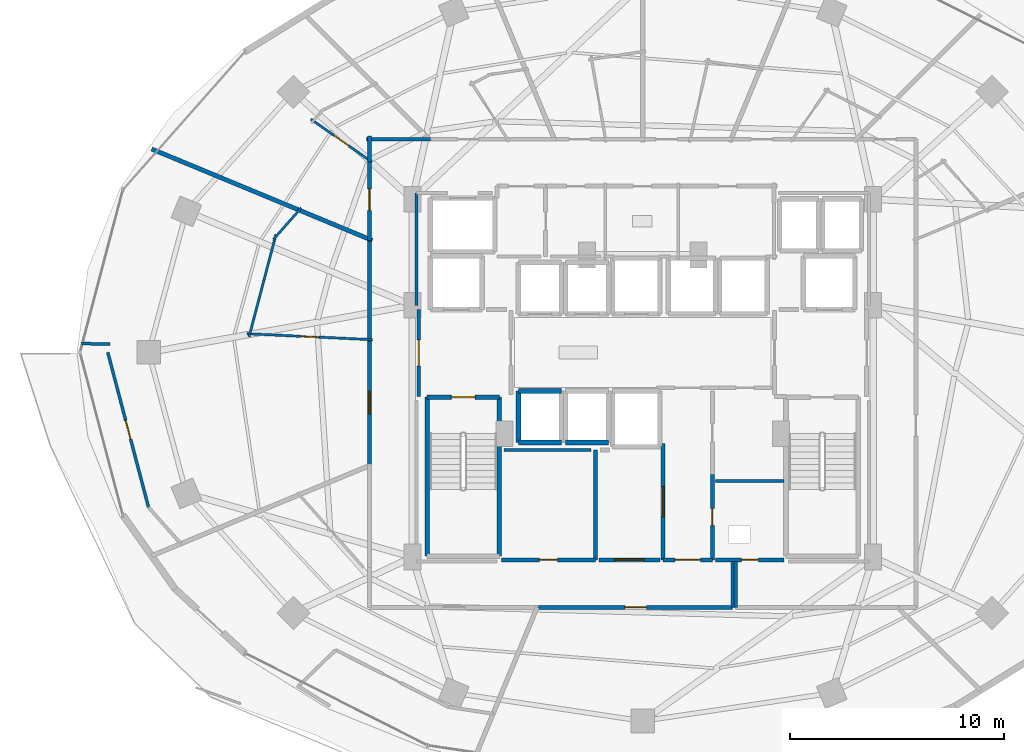
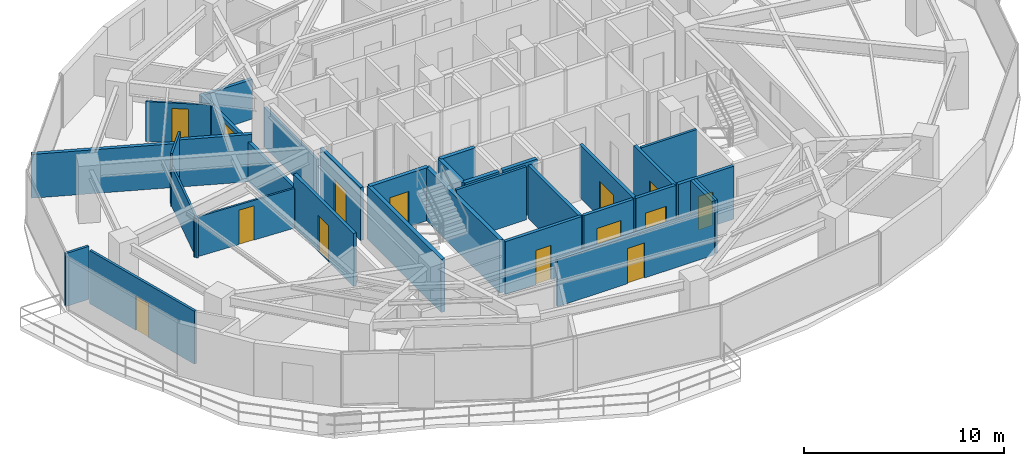
# One storey, part 23 of 30: 34 walls, 14 doors, 14 openings.
"""IFC4 building model written with IfcOpenShell, lengths in metres."""

from ifc_helpers import new_model, si_unit, direction, frame, frame_2d, origin, place, context, subcontext, project, spatial, rectangle, extrude, material, layer, layer_set, type_object, element, fill, save


model = new_model("IFC4")

# Units and contexts
model_context = context("Model", 3, precision=1e-05, world=origin(), true_north=direction((0.0, 1.0)))
body_context = subcontext(model_context, "Body", "Model", "MODEL_VIEW")
ifc_project = project(units=[si_unit("LENGTHUNIT", "METRE"), si_unit("AREAUNIT", "SQUARE_METRE"), si_unit("VOLUMEUNIT", "CUBIC_METRE"), si_unit("PLANEANGLEUNIT", "RADIAN"), si_unit("MASSUNIT", "GRAM", prefix="KILO")], contexts=[model_context])

# Site, building, storey
site_placement = place(None, origin())
site = spatial("IfcSite", under=ifc_project, at=site_placement, CompositionType="ELEMENT")
building_placement = place(site_placement, origin())
building = spatial("IfcBuilding", under=site, at=building_placement, Name="Vorneva Point Tower", CompositionType="ELEMENT")
storey_placement = place(building_placement, frame((0.0, 0.0, 106.800048828125)))
storey = spatial("IfcBuildingStorey", under=building, at=storey_placement, Name="L28", CompositionType="ELEMENT", Elevation=106.800048828125)

# Wall, opening, door
ifc_material_1 = material(Name="Fire-rated acoustic gypsum stud partition", Category="gypsum")
ifc_layer_1 = layer(ifc_material_1, 0.110107421875)
ifc_layer_set_1 = layer_set([ifc_layer_1], Name="Fire-rated acoustic gypsum stud partition")
wall_type_1 = type_object("IfcWallType", Name="WL-PART-110", PredefinedType="PARTITIONING", material=ifc_layer_set_1)
wall_1_placement = place(storey_placement, frame((25.364501953125, 34.880615234375, 0.0), z_axis=(0.0, 0.0, 1.0), x_axis=(-0.81809360258, 0.575085087111, 0.0)))
wall_1 = element("IfcWall", 1, at=wall_1_placement, inside=storey, type_object=wall_type_1, Name="L28 Interior Partition 074", PredefinedType="PARTITIONING", context=body_context, shape_type="SweptSolid", body=[
    extrude(rectangle(XDim=3.481201171875, YDim=0.110107421875, at=frame_2d((1.74072265625, 0.0))), origin(), (0.0, 0.0, 1.0), 2.431884765625),
])
opening_1_placement = place(wall_1_placement, frame((1.315673828125, 0.0, 0.0)))
opening_1 = element("IfcOpeningElement", 2, at=opening_1_placement, cuts=wall_1, Name="Opening ID-02", PredefinedType="OPENING", context=body_context, shape_type="SweptSolid", body=[
    extrude(rectangle(XDim=0.85009765625, YDim=2.10009765625, at=frame_2d((0.425048828125, 1.050048828125))), frame((0.0, 0.06982421875, 0.0), z_axis=(0.0, -1.0, 0.0), x_axis=(1.0, 0.0, 0.0)), (0.0, 0.0, 1.0), 0.139892578125),
])
ifc_material_2 = material(Name="Engineered oak fire-rated door leaf", Category="wood")
door_type_1 = type_object("IfcDoorType", Name="DR-BATH-850", OperationType="NOTDEFINED", PredefinedType="DOOR", material=ifc_material_2)
door_1_placement = place(opening_1_placement, origin())
door_1 = element("IfcDoor", 3, at=door_1_placement, inside=storey, type_object=door_type_1, Name="L28 Door Deluxe Guest Room L28-06 / En-Suite Bathroom L28-06", OperationType="SINGLE_SWING_LEFT", OverallHeight=2.10009765625, OverallWidth=0.85009765625, PredefinedType="DOOR", context=body_context, shape_type="SweptSolid", body=[
    extrude(rectangle(XDim=0.85009765625, YDim=2.10009765625, at=frame_2d((0.425048828125, 1.050048828125))), frame((0.0, 0.02490234375, 0.0), z_axis=(0.0, -1.0, 0.0), x_axis=(1.0, 0.0, 0.0)), (0.0, 0.0, 1.0), 0.050048828125),
])
fill(opening_1, door_1)

wall_2_placement = place(storey_placement, frame((25.389892578125, 26.594482421875, 0.0), z_axis=(0.0, 0.0, 1.0), x_axis=(-0.998884920498, 0.047211392719, 0.0)))
wall_2 = element("IfcWall", 4, at=wall_2_placement, inside=storey, type_object=wall_type_1, Name="L28 Interior Partition 077", PredefinedType="PARTITIONING", context=body_context, shape_type="SweptSolid", body=[
    extrude(rectangle(XDim=5.869384765625, YDim=0.110107421875, at=frame_2d((2.9345703125, 0.0))), origin(), (0.0, 0.0, 1.0), 2.431884765625),
])
opening_2_placement = place(wall_2_placement, frame((2.509521484375, 0.0, 0.0)))
opening_2 = element("IfcOpeningElement", 5, at=opening_2_placement, cuts=wall_2, Name="Opening ID-02", PredefinedType="OPENING", context=body_context, shape_type="SweptSolid", body=[
    extrude(rectangle(XDim=0.85009765625, YDim=2.10009765625, at=frame_2d((0.425048828125, 1.050048828125))), frame((0.0, 0.06982421875, 0.0), z_axis=(0.0, -1.0, 0.0), x_axis=(1.0, 0.0, 0.0)), (0.0, 0.0, 1.0), 0.139892578125),
])
door_2_placement = place(opening_2_placement, origin())
door_2 = element("IfcDoor", 6, at=door_2_placement, inside=storey, type_object=door_type_1, Name="L28 Door Executive Suite L28-07 / En-Suite Bathroom L28-07", OperationType="SINGLE_SWING_RIGHT", OverallHeight=2.10009765625, OverallWidth=0.85009765625, PredefinedType="DOOR", context=body_context, shape_type="SweptSolid", body=[
    extrude(rectangle(XDim=0.85009765625, YDim=2.10009765625, at=frame_2d((0.425048828125, 1.050048828125))), frame((0.0, 0.02490234375, 0.0), z_axis=(0.0, -1.0, 0.0), x_axis=(1.0, 0.0, 0.0)), (0.0, 0.0, 1.0), 0.050048828125),
])
fill(opening_2, door_2)

# Walls
wall_3_placement = place(storey_placement, frame((19.63134765625, 26.7294921875, 0.0), z_axis=(0.0, 0.0, 1.0), x_axis=(0.254541956306, 0.967061731473, 0.0)))
element("IfcWall", 7, at=wall_3_placement, inside=storey, type_object=wall_type_1, Name="L28 Interior Partition 078", PredefinedType="PARTITIONING", context=body_context, shape_type="SweptSolid", body=[
    extrude(rectangle(XDim=4.939453125, YDim=0.110107421875, at=frame_2d((2.4697265625, 0.0))), origin(), (0.0, 0.0, 1.0), 2.431884765625),
])
wall_4_placement = place(storey_placement, frame((20.76025390625, 31.26611328125, 0.0), z_axis=(0.0, 0.0, 1.0), x_axis=(0.662047420969, 0.749461948593, 0.0)))
element("IfcWall", 8, at=wall_4_placement, inside=storey, type_object=wall_type_1, Name="L28 Interior Partition 079", PredefinedType="PARTITIONING", context=body_context, shape_type="SweptSolid", body=[
    extrude(rectangle(XDim=1.9716796875, YDim=0.110107421875, at=frame_2d((0.98583984375, 0.0))), origin(), (0.0, 0.0, 1.0), 3.239990234375),
])
ifc_layer_2 = layer(ifc_material_1, 0.139892578125)
ifc_layer_set_2 = layer_set([ifc_layer_2], Name="Fire-rated acoustic gypsum stud partition")
wall_type_2 = type_object("IfcWallType", Name="WL-PART-140", PredefinedType="PARTITIONING", material=ifc_layer_set_2)
wall_5_placement = place(storey_placement, frame((44.60009765625, 20.0, 0.0), z_axis=(0.0, 0.0, 1.0), x_axis=(-1.0, 0.0, 0.0)))
element("IfcWall", 9, at=wall_5_placement, inside=storey, type_object=wall_type_2, Name="L28 Interior Partition 015", PredefinedType="PARTITIONING", context=body_context, shape_type="SweptSolid", body=[
    extrude(rectangle(XDim=3.2001953125, YDim=0.139892578125, at=frame_2d((1.60009765625, 0.0))), origin(), (0.0, 0.0, 1.0), 3.239990234375),
])
wall_6_placement = place(storey_placement, frame((11.804931640625, 26.412109375, 0.0), z_axis=(0.0, 0.0, 1.0), x_axis=(0.999862201843, -0.01660052187, 0.0)))
element("IfcWall", 10, at=wall_6_placement, inside=storey, type_object=wall_type_2, Name="L28 Interior Partition 080", PredefinedType="PARTITIONING", context=body_context, shape_type="SweptSolid", body=[
    extrude(rectangle(XDim=1.33837890625, YDim=0.139892578125, at=frame_2d((0.669189453125, 0.0))), origin(), (0.0, 0.0, 1.0), 3.239990234375),
])

# Wall, opening, door
wall_7_placement = place(storey_placement, frame((13.0400390625, 26.0, 0.0), z_axis=(0.0, 0.0, 1.0), x_axis=(0.254345287821, -0.967113475536, 0.0)))
wall_7 = element("IfcWall", 11, at=wall_7_placement, inside=storey, type_object=wall_type_2, Name="L28 Interior Partition 081", PredefinedType="PARTITIONING", context=body_context, shape_type="SweptSolid", body=[
    extrude(rectangle(XDim=7.4697265625, YDim=0.139892578125, at=frame_2d((3.73486328125, 0.0))), origin(), (0.0, 0.0, 1.0), 3.239990234375),
])
opening_3_placement = place(wall_7_placement, frame((3.284912109375, 0.0, 0.0)))
opening_3 = element("IfcOpeningElement", 12, at=opening_3_placement, cuts=wall_7, Name="Opening ID-01", PredefinedType="OPENING", context=body_context, shape_type="SweptSolid", body=[
    extrude(rectangle(XDim=0.89990234375, YDim=2.10009765625, at=frame_2d((0.449951171875, 1.050048828125))), frame((0.0, 0.0849609375, 0.0), z_axis=(0.0, -1.0, 0.0), x_axis=(1.0, 0.0, 0.0)), (0.0, 0.0, 1.0), 0.169677734375),
])
door_type_2 = type_object("IfcDoorType", Name="DR-ROOM-900", OperationType="NOTDEFINED", PredefinedType="DOOR", material=ifc_material_2)
door_3_placement = place(opening_3_placement, origin())
door_3 = element("IfcDoor", 13, at=door_3_placement, inside=storey, type_object=door_type_2, Name="L28 Door Executive Suite L28-07 / Suite Sitting Study L28-07", OperationType="SINGLE_SWING_LEFT", OverallHeight=2.10009765625, OverallWidth=0.89990234375, PredefinedType="DOOR", context=body_context, shape_type="SweptSolid", body=[
    extrude(rectangle(XDim=0.89990234375, YDim=2.10009765625, at=frame_2d((0.449951171875, 1.050048828125))), frame((0.0, 0.02490234375, 0.0), z_axis=(0.0, -1.0, 0.0), x_axis=(1.0, 0.0, 0.0)), (0.0, 0.0, 1.0), 0.050048828125),
])
fill(opening_3, door_3)

# Walls
wall_8_placement = place(storey_placement, frame((35.580078125, 21.449951171875, 0.0), z_axis=(0.0, 0.0, 1.0), x_axis=(-1.0, 0.0, 0.0)))
element("IfcWall", 14, at=wall_8_placement, inside=storey, type_object=wall_type_2, Name="L28 Interior Closure Partition 101", PredefinedType="PARTITIONING", context=body_context, shape_type="SweptSolid", body=[
    extrude(rectangle(XDim=4.050048828125, YDim=0.139892578125, at=frame_2d((2.02490234375, 0.0))), origin(), (0.0, 0.0, 1.0), 3.239990234375),
])
wall_9_placement = place(storey_placement, frame((27.449951171875, 28.196044921875, 0.0), z_axis=(0.0, 0.0, 1.0), x_axis=(0.0, 1.0, 0.0)))
element("IfcWall", 15, at=wall_9_placement, inside=storey, type_object=wall_type_2, Name="L28 Interior Closure Partition 109", PredefinedType="PARTITIONING", context=body_context, shape_type="SweptSolid", body=[
    extrude(rectangle(XDim=5.25390625, YDim=0.139892578125, at=frame_2d((2.626953125, 0.0))), origin(), (0.0, 0.0, 1.0), 2.431884765625),
])

# Wall, opening, door
ifc_material_3 = material(Name="Autoclaved aerated concrete blockwork", Category="masonry")
ifc_layer_3 = layer(ifc_material_3, 0.179931640625)
ifc_layer_set_3 = layer_set([ifc_layer_3], Name="Autoclaved aerated concrete blockwork")
wall_type_3 = type_object("IfcWallType", Name="WL-PART-180", PredefinedType="PARTITIONING", material=ifc_layer_set_3)
wall_10_placement = place(storey_placement, frame((27.550048828125, 28.0, 0.0), z_axis=(0.0, 0.0, 1.0), x_axis=(0.0, -1.0, 0.0)))
wall_10 = element("IfcWall", 16, at=wall_10_placement, inside=storey, type_object=wall_type_3, Name="L28 Interior Partition 002", PredefinedType="PARTITIONING", context=body_context, shape_type="SweptSolid", body=[
    extrude(rectangle(XDim=4.050048828125, YDim=0.179931640625, at=frame_2d((2.02490234375, 0.0))), origin(), (0.0, 0.0, 1.0), 3.239990234375),
])
opening_4_placement = place(wall_10_placement, frame((1.425048828125, 0.0, 0.0)))
opening_4 = element("IfcOpeningElement", 17, at=opening_4_placement, cuts=wall_10, Name="Opening FD-02", PredefinedType="OPENING", context=body_context, shape_type="SweptSolid", body=[
    extrude(rectangle(XDim=1.199951171875, YDim=2.14990234375, at=frame_2d((0.60009765625, 1.074951171875))), frame((0.0, 0.10498046875, 0.0), z_axis=(0.0, -1.0, 0.0), x_axis=(1.0, 0.0, 0.0)), (0.0, 0.0, 1.0), 0.209716796875),
])
ifc_material_4 = material(Name="Fire-rated powder-coated steel", Category="steel")
door_type_3 = type_object("IfcDoorType", Name="DR-FFL-1200", OperationType="NOTDEFINED", PredefinedType="DOOR", material=ifc_material_4)
door_4_placement = place(opening_4_placement, origin())
door_4 = element("IfcDoor", 18, at=door_4_placement, inside=storey, type_object=door_type_3, Name="L28 Door West Firefighting Lobby / L28 Circulation Corridor", OperationType="SINGLE_SWING_RIGHT", OverallHeight=2.14990234375, OverallWidth=1.199951171875, PredefinedType="DOOR", context=body_context, shape_type="SweptSolid", body=[
    extrude(rectangle(XDim=1.199951171875, YDim=2.14990234375, at=frame_2d((0.60009765625, 1.074951171875))), frame((0.0, 0.02490234375, 0.0), z_axis=(0.0, -1.0, 0.0), x_axis=(1.0, 0.0, 0.0)), (0.0, 0.0, 1.0), 0.050048828125),
])
fill(opening_4, door_4)

wall_11_placement = place(storey_placement, frame((41.25, 16.320068359375, 0.0), z_axis=(0.0, 0.0, 1.0), x_axis=(0.0, 1.0, 0.0)))
wall_11 = element("IfcWall", 19, at=wall_11_placement, inside=storey, type_object=wall_type_3, Name="L28 Interior Partition 011", PredefinedType="PARTITIONING", context=body_context, shape_type="SweptSolid", body=[
    extrude(rectangle(XDim=3.98486328125, YDim=0.179931640625, at=frame_2d((1.992431640625, 0.0))), origin(), (0.0, 0.0, 1.0), 3.239990234375),
])
opening_5_placement = place(wall_11_placement, frame((1.592529296875, 0.0, 0.0)))
opening_5 = element("IfcOpeningElement", 20, at=opening_5_placement, cuts=wall_11, Name="Opening RD-01", PredefinedType="OPENING", context=body_context, shape_type="SweptSolid", body=[
    extrude(rectangle(XDim=0.800048828125, YDim=2.050048828125, at=frame_2d((0.39990234375, 1.02490234375))), frame((0.0, 0.10498046875, 0.0), z_axis=(0.0, -1.0, 0.0), x_axis=(1.0, 0.0, 0.0)), (0.0, 0.0, 1.0), 0.209716796875),
])
door_type_4 = type_object("IfcDoorType", Name="DR-RSR-800", OperationType="SINGLE_SWING_LEFT", PredefinedType="DOOR", material=ifc_material_4)
door_5_placement = place(opening_5_placement, origin())
door_5 = element("IfcDoor", 21, at=door_5_placement, inside=storey, type_object=door_type_4, Name="L28 Door Core Service Lobby / Electrical Riser", OperationType="SINGLE_SWING_LEFT", OverallHeight=2.050048828125, OverallWidth=0.800048828125, PredefinedType="DOOR", context=body_context, shape_type="SweptSolid", body=[
    extrude(rectangle(XDim=0.800048828125, YDim=2.050048828125, at=frame_2d((0.39990234375, 1.02490234375))), frame((0.0, 0.02490234375, 0.0), z_axis=(0.0, -1.0, 0.0), x_axis=(1.0, 0.0, 0.0)), (0.0, 0.0, 1.0), 0.050048828125),
])
fill(opening_5, door_5)

wall_12_placement = place(storey_placement, frame((38.949951171875, 21.7548828125, 0.0), z_axis=(0.0, 0.0, 1.0), x_axis=(0.0, -1.0, 0.0)))
wall_12 = element("IfcWall", 22, at=wall_12_placement, inside=storey, type_object=wall_type_3, Name="L28 Interior Partition 013", PredefinedType="PARTITIONING", context=body_context, shape_type="SweptSolid", body=[
    extrude(rectangle(XDim=5.434814453125, YDim=0.179931640625, at=frame_2d((2.71728515625, 0.0))), origin(), (0.0, 0.0, 1.0), 3.239990234375),
])
opening_6_placement = place(wall_12_placement, frame((2.017578125, 0.0, 0.0)))
opening_6 = element("IfcOpeningElement", 23, at=opening_6_placement, cuts=wall_12, Name="Opening FD-03", PredefinedType="OPENING", context=body_context, shape_type="SweptSolid", body=[
    extrude(rectangle(XDim=1.39990234375, YDim=2.199951171875, at=frame_2d((0.699951171875, 1.10009765625))), frame((0.0, 0.10498046875, 0.0), z_axis=(0.0, -1.0, 0.0), x_axis=(1.0, 0.0, 0.0)), (0.0, 0.0, 1.0), 0.209716796875),
])
door_type_5 = type_object("IfcDoorType", Name="DR-PLT-1400", OperationType="DOUBLE_SWING_LEFT", PredefinedType="DOOR", material=ifc_material_4)
door_6_placement = place(opening_6_placement, origin())
door_6 = element("IfcDoor", 24, at=door_6_placement, inside=storey, type_object=door_type_5, Name="L28 Door Core Service Lobby / Telecoms and Data Room", OperationType="DOUBLE_SWING_LEFT", OverallHeight=2.199951171875, OverallWidth=1.39990234375, PredefinedType="DOOR", context=body_context, shape_type="SweptSolid", body=[
    extrude(rectangle(XDim=1.39990234375, YDim=2.199951171875, at=frame_2d((0.699951171875, 1.10009765625))), frame((0.0, 0.02490234375, 0.0), z_axis=(0.0, -1.0, 0.0), x_axis=(1.0, 0.0, 0.0)), (0.0, 0.0, 1.0), 0.050048828125),
])
fill(opening_6, door_6)

wall_13_placement = place(storey_placement, frame((38.949951171875, 16.320068359375, 0.0), z_axis=(0.0, 0.0, 1.0), x_axis=(1.0, 0.0, 0.0)))
wall_13 = element("IfcWall", 25, at=wall_13_placement, inside=storey, type_object=wall_type_3, Name="L28 Interior Partition 014", PredefinedType="PARTITIONING", context=body_context, shape_type="SweptSolid", body=[
    extrude(rectangle(XDim=2.300048828125, YDim=0.179931640625, at=frame_2d((1.14990234375, 0.0))), origin(), (0.0, 0.0, 1.0), 3.239990234375),
])
opening_7_placement = place(wall_13_placement, frame((0.550048828125, 0.0, 0.0)))
opening_7 = element("IfcOpeningElement", 26, at=opening_7_placement, cuts=wall_13, Name="Opening FD-02", PredefinedType="OPENING", context=body_context, shape_type="SweptSolid", body=[
    extrude(rectangle(XDim=1.199951171875, YDim=2.14990234375, at=frame_2d((0.60009765625, 1.074951171875))), frame((0.0, 0.10498046875, 0.0), z_axis=(0.0, -1.0, 0.0), x_axis=(1.0, 0.0, 0.0)), (0.0, 0.0, 1.0), 0.209716796875),
])
door_7_placement = place(opening_7_placement, origin())
door_7 = element("IfcDoor", 27, at=door_7_placement, inside=storey, type_object=door_type_3, Name="L28 Door Core Service Lobby / L28 Circulation Corridor", OperationType="SINGLE_SWING_RIGHT", OverallHeight=2.14990234375, OverallWidth=1.199951171875, PredefinedType="DOOR", context=body_context, shape_type="SweptSolid", body=[
    extrude(rectangle(XDim=1.199951171875, YDim=2.14990234375, at=frame_2d((0.60009765625, 1.074951171875))), frame((0.0, 0.02490234375, 0.0), z_axis=(0.0, -1.0, 0.0), x_axis=(1.0, 0.0, 0.0)), (0.0, 0.0, 1.0), 0.050048828125),
])
fill(opening_7, door_7)

wall_14_placement = place(storey_placement, frame((41.39990234375, 16.320068359375, 0.0), z_axis=(0.0, 0.0, 1.0), x_axis=(1.0, 0.0, 0.0)))
wall_14 = element("IfcWall", 28, at=wall_14_placement, inside=storey, type_object=wall_type_3, Name="L28 Interior Partition 016", PredefinedType="PARTITIONING", context=body_context, shape_type="SweptSolid", body=[
    extrude(rectangle(XDim=3.2001953125, YDim=0.179931640625, at=frame_2d((1.60009765625, 0.0))), origin(), (0.0, 0.0, 1.0), 3.239990234375),
])
opening_8_placement = place(wall_14_placement, frame((1.199951171875, 0.0, 0.0)))
opening_8 = element("IfcOpeningElement", 29, at=opening_8_placement, cuts=wall_14, Name="Opening RD-01", PredefinedType="OPENING", context=body_context, shape_type="SweptSolid", body=[
    extrude(rectangle(XDim=0.800048828125, YDim=2.050048828125, at=frame_2d((0.39990234375, 1.02490234375))), frame((0.0, 0.10498046875, 0.0), z_axis=(0.0, -1.0, 0.0), x_axis=(1.0, 0.0, 0.0)), (0.0, 0.0, 1.0), 0.209716796875),
])
door_8_placement = place(opening_8_placement, origin())
door_8 = element("IfcDoor", 30, at=door_8_placement, inside=storey, type_object=door_type_4, Name="L28 Door Electrical Riser / L28 Circulation Corridor", OperationType="SINGLE_SWING_LEFT", OverallHeight=2.050048828125, OverallWidth=0.800048828125, PredefinedType="DOOR", context=body_context, shape_type="SweptSolid", body=[
    extrude(rectangle(XDim=0.800048828125, YDim=2.050048828125, at=frame_2d((0.39990234375, 1.02490234375))), frame((0.0, 0.02490234375, 0.0), z_axis=(0.0, -1.0, 0.0), x_axis=(1.0, 0.0, 0.0)), (0.0, 0.0, 1.0), 0.050048828125),
])
fill(opening_8, door_8)

# Wall
wall_15_placement = place(storey_placement, frame((35.800048828125, 16.320068359375, 0.0), z_axis=(0.0, 0.0, 1.0), x_axis=(0.0, 1.0, 0.0)))
element("IfcWall", 31, at=wall_15_placement, inside=storey, type_object=wall_type_3, Name="L28 Interior Partition 023", PredefinedType="PARTITIONING", context=body_context, shape_type="SweptSolid", body=[
    extrude(rectangle(XDim=5.1298828125, YDim=0.179931640625, at=frame_2d((2.56494140625, 0.0))), origin(), (0.0, 0.0, 1.0), 3.239990234375),
])

# Wall, opening, door
wall_16_placement = place(storey_placement, frame((31.39990234375, 16.320068359375, 0.0), z_axis=(0.0, 0.0, 1.0), x_axis=(1.0, 0.0, 0.0)))
wall_16 = element("IfcWall", 32, at=wall_16_placement, inside=storey, type_object=wall_type_3, Name="L28 Interior Partition 024", PredefinedType="PARTITIONING", context=body_context, shape_type="SweptSolid", body=[
    extrude(rectangle(XDim=4.400146484375, YDim=0.179931640625, at=frame_2d((2.2001953125, 0.0))), origin(), (0.0, 0.0, 1.0), 3.239990234375),
])
opening_9_placement = place(wall_16_placement, frame((1.77490234375, 0.0, 0.0)))
opening_9 = element("IfcOpeningElement", 33, at=opening_9_placement, cuts=wall_16, Name="Opening ID-02", PredefinedType="OPENING", context=body_context, shape_type="SweptSolid", body=[
    extrude(rectangle(XDim=0.85009765625, YDim=2.10009765625, at=frame_2d((0.425048828125, 1.050048828125))), frame((0.0, 0.10498046875, 0.0), z_axis=(0.0, -1.0, 0.0), x_axis=(1.0, 0.0, 0.0)), (0.0, 0.0, 1.0), 0.209716796875),
])
door_9_placement = place(opening_9_placement, origin())
door_9 = element("IfcDoor", 34, at=door_9_placement, inside=storey, type_object=door_type_1, Name="L28 Door Housekeeping Store / L28 Circulation Corridor", OperationType="SINGLE_SWING_LEFT", OverallHeight=2.10009765625, OverallWidth=0.85009765625, PredefinedType="DOOR", context=body_context, shape_type="SweptSolid", body=[
    extrude(rectangle(XDim=0.85009765625, YDim=2.10009765625, at=frame_2d((0.425048828125, 1.050048828125))), frame((0.0, 0.02490234375, 0.0), z_axis=(0.0, -1.0, 0.0), x_axis=(1.0, 0.0, 0.0)), (0.0, 0.0, 1.0), 0.050048828125),
])
fill(opening_9, door_9)

wall_17_placement = place(storey_placement, frame((35.949951171875, 16.320068359375, 0.0), z_axis=(0.0, 0.0, 1.0), x_axis=(1.0, 0.0, 0.0)))
wall_17 = element("IfcWall", 35, at=wall_17_placement, inside=storey, type_object=wall_type_3, Name="L28 Interior Partition 025", PredefinedType="PARTITIONING", context=body_context, shape_type="SweptSolid", body=[
    extrude(rectangle(XDim=2.85009765625, YDim=0.179931640625, at=frame_2d((1.425048828125, 0.0))), origin(), (0.0, 0.0, 1.0), 3.239990234375),
])
opening_10_placement = place(wall_17_placement, frame((0.72509765625, 0.0, 0.0)))
opening_10 = element("IfcOpeningElement", 36, at=opening_10_placement, cuts=wall_17, Name="Opening FD-03", PredefinedType="OPENING", context=body_context, shape_type="SweptSolid", body=[
    extrude(rectangle(XDim=1.39990234375, YDim=2.199951171875, at=frame_2d((0.699951171875, 1.10009765625))), frame((0.0, 0.10498046875, 0.0), z_axis=(0.0, -1.0, 0.0), x_axis=(1.0, 0.0, 0.0)), (0.0, 0.0, 1.0), 0.209716796875),
])
door_10_placement = place(opening_10_placement, origin())
door_10 = element("IfcDoor", 37, at=door_10_placement, inside=storey, type_object=door_type_5, Name="L28 Door Telecoms and Data Room / L28 Circulation Corridor", OperationType="DOUBLE_SWING_LEFT", OverallHeight=2.199951171875, OverallWidth=1.39990234375, PredefinedType="DOOR", context=body_context, shape_type="SweptSolid", body=[
    extrude(rectangle(XDim=1.39990234375, YDim=2.199951171875, at=frame_2d((0.699951171875, 1.10009765625))), frame((0.0, 0.02490234375, 0.0), z_axis=(0.0, -1.0, 0.0), x_axis=(1.0, 0.0, 0.0)), (0.0, 0.0, 1.0), 0.050048828125),
])
fill(opening_10, door_10)

wall_18_placement = place(storey_placement, frame((25.25, 35.033935546875, 0.0), z_axis=(0.0, 0.0, 1.0), x_axis=(0.0, -1.0, 0.0)))
wall_18 = element("IfcWall", 38, at=wall_18_placement, inside=storey, type_object=wall_type_3, Name="L28 Interior Partition 037", PredefinedType="PARTITIONING", context=body_context, shape_type="SweptSolid", body=[
    extrude(rectangle(XDim=3.81298828125, YDim=0.179931640625, at=frame_2d((1.906494140625, 0.0))), origin(), (0.0, 0.0, 1.0), 2.431884765625),
])
opening_11_placement = place(wall_18_placement, frame((1.406494140625, 0.0, 0.0)))
opening_11 = element("IfcOpeningElement", 39, at=opening_11_placement, cuts=wall_18, Name="Opening UD-01", PredefinedType="OPENING", context=body_context, shape_type="SweptSolid", body=[
    extrude(rectangle(XDim=1.0, YDim=2.14990234375, at=frame_2d((0.5, 1.074951171875))), frame((0.0, 0.10498046875, 0.0), z_axis=(0.0, -1.0, 0.0), x_axis=(1.0, 0.0, 0.0)), (0.0, 0.0, 1.0), 0.209716796875),
])
door_type_6 = type_object("IfcDoorType", Name="DR-UNIT-1000", OperationType="NOTDEFINED", PredefinedType="DOOR", material=ifc_material_2)
door_11_placement = place(opening_11_placement, origin())
door_11 = element("IfcDoor", 40, at=door_11_placement, inside=storey, type_object=door_type_6, Name="L28 Door L28 Circulation Corridor / Deluxe Guest Room L28-06", OperationType="SINGLE_SWING_RIGHT", OverallHeight=2.14990234375, OverallWidth=1.0, PredefinedType="DOOR", context=body_context, shape_type="SweptSolid", body=[
    extrude(rectangle(XDim=1.0, YDim=2.14990234375, at=frame_2d((0.5, 1.074951171875))), frame((0.0, 0.02490234375, 0.0), z_axis=(0.0, -1.0, 0.0), x_axis=(1.0, 0.0, 0.0)), (0.0, 0.0, 1.0), 0.050048828125),
])
fill(opening_11, door_11)

# Walls
wall_19_placement = place(storey_placement, frame((28.10498046875, 35.949951171875, 0.0), z_axis=(0.0, 0.0, 1.0), x_axis=(-1.0, 0.0, 0.0)))
element("IfcWall", 41, at=wall_19_placement, inside=storey, type_object=wall_type_3, Name="L28 Interior Partition 038", PredefinedType="PARTITIONING", context=body_context, shape_type="SweptSolid", body=[
    extrude(rectangle(XDim=2.994873046875, YDim=0.179931640625, at=frame_2d((1.49755859375, 0.0))), origin(), (0.0, 0.0, 1.0), 2.431884765625),
])
wall_20_placement = place(storey_placement, frame((25.25, 36.090087890625, 0.0), z_axis=(0.0, 0.0, 1.0), x_axis=(0.0, -1.0, 0.0)))
element("IfcWall", 42, at=wall_20_placement, inside=storey, type_object=wall_type_3, Name="L28 Interior Partition 039", PredefinedType="PARTITIONING", context=body_context, shape_type="SweptSolid", body=[
    extrude(rectangle(XDim=1.196044921875, YDim=0.179931640625, at=frame_2d((0.59814453125, 0.0))), origin(), (0.0, 0.0, 1.0), 2.431884765625),
])

# Wall, opening, door
wall_21_placement = place(storey_placement, frame((25.25, 26.660888671875, 0.0), z_axis=(0.0, 0.0, 1.0), x_axis=(0.0, -1.0, 0.0)))
wall_21 = element("IfcWall", 43, at=wall_21_placement, inside=storey, type_object=wall_type_3, Name="L28 Interior Partition 040", PredefinedType="PARTITIONING", context=body_context, shape_type="SweptSolid", body=[
    extrude(rectangle(XDim=6.0068359375, YDim=0.179931640625, at=frame_2d((3.00341796875, 0.0))), origin(), (0.0, 0.0, 1.0), 3.239990234375),
])
opening_12_placement = place(wall_21_placement, frame((2.478515625, 0.0, 0.0)))
opening_12 = element("IfcOpeningElement", 44, at=opening_12_placement, cuts=wall_21, Name="Opening UD-02", PredefinedType="OPENING", context=body_context, shape_type="SweptSolid", body=[
    extrude(rectangle(XDim=1.050048828125, YDim=2.199951171875, at=frame_2d((0.52490234375, 1.10009765625))), frame((0.0, 0.10498046875, 0.0), z_axis=(0.0, -1.0, 0.0), x_axis=(1.0, 0.0, 0.0)), (0.0, 0.0, 1.0), 0.209716796875),
])
door_type_7 = type_object("IfcDoorType", Name="DR-SUITE-1050", OperationType="NOTDEFINED", PredefinedType="DOOR", material=ifc_material_2)
door_12_placement = place(opening_12_placement, origin())
door_12 = element("IfcDoor", 45, at=door_12_placement, inside=storey, type_object=door_type_7, Name="L28 Door L28 Circulation Corridor / Executive Suite L28-07", OperationType="SINGLE_SWING_LEFT", OverallHeight=2.199951171875, OverallWidth=1.050048828125, PredefinedType="DOOR", context=body_context, shape_type="SweptSolid", body=[
    extrude(rectangle(XDim=1.050048828125, YDim=2.199951171875, at=frame_2d((0.52490234375, 1.10009765625))), frame((0.0, 0.02490234375, 0.0), z_axis=(0.0, -1.0, 0.0), x_axis=(1.0, 0.0, 0.0)), (0.0, 0.0, 1.0), 0.050048828125),
])
fill(opening_12, door_12)

# Walls
wall_22_placement = place(storey_placement, frame((25.25, 31.361083984375, 0.0), z_axis=(0.0, 0.0, 1.0), x_axis=(0.0, -1.0, 0.0)))
element("IfcWall", 46, at=wall_22_placement, inside=storey, type_object=wall_type_3, Name="L28 Interior Partition 041", PredefinedType="PARTITIONING", context=body_context, shape_type="SweptSolid", body=[
    extrude(rectangle(XDim=4.840087890625, YDim=0.179931640625, at=frame_2d((2.419921875, 0.0))), origin(), (0.0, 0.0, 1.0), 2.431884765625),
])
wall_23_placement = place(storey_placement, frame((42.340087890625, 16.239990234375, 0.0), z_axis=(0.0, 0.0, 1.0), x_axis=(0.0, -1.0, 0.0)))
element("IfcWall", 47, at=wall_23_placement, inside=storey, type_object=wall_type_3, Name="L28 Interior Partition 045", PredefinedType="PARTITIONING", context=body_context, shape_type="SweptSolid", body=[
    extrude(rectangle(XDim=2.139892578125, YDim=0.179931640625, at=frame_2d((1.06982421875, 0.0))), origin(), (0.0, 0.0, 1.0), 3.239990234375),
])

# Wall, opening, door
wall_24_placement = place(storey_placement, frame((33.131103515625, 14.10009765625, 0.0), z_axis=(0.0, 0.0, 1.0), x_axis=(1.0, 0.0, 0.0)))
wall_24 = element("IfcWall", 48, at=wall_24_placement, inside=storey, type_object=wall_type_3, Name="L28 Interior Partition 047", PredefinedType="PARTITIONING", context=body_context, shape_type="SweptSolid", body=[
    extrude(rectangle(XDim=9.06884765625, YDim=0.179931640625, at=frame_2d((4.534423828125, 0.0))), origin(), (0.0, 0.0, 1.0), 2.885986328125),
])
opening_13_placement = place(wall_24_placement, frame((4.034423828125, 0.0, 0.0)))
opening_13 = element("IfcOpeningElement", 49, at=opening_13_placement, cuts=wall_24, Name="Opening UD-01", PredefinedType="OPENING", context=body_context, shape_type="SweptSolid", body=[
    extrude(rectangle(XDim=1.0, YDim=2.14990234375, at=frame_2d((0.5, 1.074951171875))), frame((0.0, 0.10498046875, 0.0), z_axis=(0.0, -1.0, 0.0), x_axis=(1.0, 0.0, 0.0)), (0.0, 0.0, 1.0), 0.209716796875),
])
door_13_placement = place(opening_13_placement, origin())
door_13 = element("IfcDoor", 50, at=door_13_placement, inside=storey, type_object=door_type_6, Name="L28 Door L28 Circulation Corridor / Hotel Club Lounge L28-09", OperationType="SINGLE_SWING_LEFT", OverallHeight=2.14990234375, OverallWidth=1.0, PredefinedType="DOOR", context=body_context, shape_type="SweptSolid", body=[
    extrude(rectangle(XDim=1.0, YDim=2.14990234375, at=frame_2d((0.5, 1.074951171875))), frame((0.0, 0.02490234375, 0.0), z_axis=(0.0, -1.0, 0.0), x_axis=(1.0, 0.0, 0.0)), (0.0, 0.0, 1.0), 0.050048828125),
])
fill(opening_13, door_13)

# Walls
wall_25_placement = place(storey_placement, frame((42.199951171875, 14.10009765625, 0.0), z_axis=(0.0, 0.0, 1.0), x_axis=(0.0, 1.0, 0.0)))
element("IfcWall", 51, at=wall_25_placement, inside=storey, type_object=wall_type_3, Name="L28 Interior Partition 048", PredefinedType="PARTITIONING", context=body_context, shape_type="SweptSolid", body=[
    extrude(rectangle(XDim=2.139892578125, YDim=0.179931640625, at=frame_2d((1.06982421875, 0.0))), origin(), (0.0, 0.0, 1.0), 3.239990234375),
])
ifc_layer_4 = layer(ifc_material_3, 0.199951171875)
ifc_layer_set_4 = layer_set([ifc_layer_4], Name="Autoclaved aerated concrete blockwork")
wall_type_4 = type_object("IfcWallType", Name="WL-PART-200", PredefinedType="PARTITIONING", material=ifc_layer_set_4)
wall_26_placement = place(storey_placement, frame((15.089111328125, 35.489990234375, 0.0), z_axis=(0.0, 0.0, 1.0), x_axis=(0.923888472039, -0.382661849723, 0.0)))
element("IfcWall", 52, at=wall_26_placement, inside=storey, type_object=wall_type_4, Name="L28 Interior Partition 075", PredefinedType="PARTITIONING", context=body_context, shape_type="SweptSolid", body=[
    extrude(rectangle(XDim=7.510498046875, YDim=0.199951171875, at=frame_2d((3.75537109375, 0.0))), origin(), (0.0, 0.0, 1.0), 2.677001953125),
])
wall_27_placement = place(storey_placement, frame((21.898681640625, 32.66943359375, 0.0), z_axis=(0.0, 0.0, 1.0), x_axis=(0.923843852071, -0.382769561211, 0.0)))
element("IfcWall", 53, at=wall_27_placement, inside=storey, type_object=wall_type_4, Name="L28 Interior Partition 076", PredefinedType="PARTITIONING", context=body_context, shape_type="SweptSolid", body=[
    extrude(rectangle(XDim=3.767578125, YDim=0.199951171875, at=frame_2d((1.8837890625, 0.0))), origin(), (0.0, 0.0, 1.0), 2.885986328125),
])

# Wall, opening, door
ifc_material_5 = material(Name="Concrete B50 (C40/50)", Category="concrete")
ifc_layer_5 = layer(ifc_material_5, 0.219970703125)
ifc_layer_set_5 = layer_set([ifc_layer_5], Name="Concrete B50 (C40/50)")
wall_type_5 = type_object("IfcWallType", Name="WL-SHFT-220", PredefinedType="SOLIDWALL", material=ifc_layer_set_5)
wall_28_placement = place(storey_placement, frame((27.93994140625, 23.909912109375, 0.0), z_axis=(0.0, 0.0, 1.0), x_axis=(1.0, 0.0, 0.0)))
wall_28 = element("IfcWall", 54, at=wall_28_placement, inside=storey, type_object=wall_type_5, Name="L28 Exit Stair ST1 Shaft Wall near", PredefinedType="SOLIDWALL", context=body_context, shape_type="SweptSolid", body=[
    extrude(rectangle(XDim=3.3701171875, YDim=0.219970703125, at=frame_2d((1.68505859375, 0.0))), origin(), (0.0, 0.0, 1.0), 3.239990234375),
])
opening_14_placement = place(wall_28_placement, frame((1.135009765625, 0.0, 0.0)))
opening_14 = element("IfcOpeningElement", 55, at=opening_14_placement, cuts=wall_28, Name="Opening FD-01", PredefinedType="OPENING", context=body_context, shape_type="SweptSolid", body=[
    extrude(rectangle(XDim=1.10009765625, YDim=2.14990234375, at=frame_2d((0.550048828125, 1.074951171875))), frame((0.0, 0.125, 0.0), z_axis=(0.0, -1.0, 0.0), x_axis=(1.0, 0.0, 0.0)), (0.0, 0.0, 1.0), 0.249755859375),
])
door_type_8 = type_object("IfcDoorType", Name="DR-STAIR-1100", OperationType="NOTDEFINED", PredefinedType="DOOR", material=ifc_material_4)
door_14_placement = place(opening_14_placement, origin())
door_14 = element("IfcDoor", 56, at=door_14_placement, inside=storey, type_object=door_type_8, Name="L28 Exit Stair ST1 Fire Door", OperationType="SINGLE_SWING_RIGHT", OverallHeight=2.14990234375, OverallWidth=1.10009765625, PredefinedType="DOOR", context=body_context, shape_type="SweptSolid", body=[
    extrude(rectangle(XDim=1.10009765625, YDim=2.14990234375, at=frame_2d((0.550048828125, 1.074951171875))), frame((0.0, 0.02490234375, 0.0), z_axis=(0.0, -1.0, 0.0), x_axis=(1.0, 0.0, 0.0)), (0.0, 0.0, 1.0), 0.050048828125),
])
fill(opening_14, door_14)

# Walls
for number, where, z_axis, x_axis, name in (
    (57, (31.31005859375, 23.909912109375, 0.0), (0.0, 0.0, 1.0), (0.0, -1.0, 0.0), "L28 Exit Stair ST1 Shaft Wall right"),
    (58, (27.93994140625, 16.489990234375, 0.0), (0.0, 0.0, 1.0), (0.0, 1.0, 0.0), "L28 Exit Stair ST1 Shaft Wall left"),
):
    element("IfcWall", number, at=place(storey_placement, frame(where, z_axis=z_axis, x_axis=x_axis)), inside=storey, type_object=wall_type_5, Name=name, PredefinedType="SOLIDWALL", context=body_context, shape_type="SweptSolid", body=[
        extrude(rectangle(XDim=7.419921875, YDim=0.219970703125, at=frame_2d((3.7099609375, 0.0))), origin(), (0.0, 0.0, 1.0), 3.239990234375),
    ])
for number, where, z_axis, x_axis, name in (
    (59, (32.199951171875, 21.800048828125, 0.0), (0.0, 0.0, 1.0), (1.0, 0.0, 0.0), "L28 Lift PL4 Shaft Wall -Y"),
    (60, (34.199951171875, 24.199951171875, 0.0), (0.0, 0.0, 1.0), (-1.0, 0.0, 0.0), "L28 Lift PL4 Shaft Wall +Y"),
):
    element("IfcWall", number, at=place(storey_placement, frame(where, z_axis=z_axis, x_axis=x_axis)), inside=storey, type_object=wall_type_5, Name=name, PredefinedType="SOLIDWALL", context=body_context, shape_type="SweptSolid", body=[
        extrude(rectangle(XDim=2.0, YDim=0.219970703125, at=frame_2d((1.0, 0.0))), origin(), (0.0, 0.0, 1.0), 3.239990234375),
    ])
wall_29_placement = place(storey_placement, frame((32.199951171875, 24.199951171875, 0.0), z_axis=(0.0, 0.0, 1.0), x_axis=(0.0, -1.0, 0.0)))
element("IfcWall", 61, at=wall_29_placement, inside=storey, type_object=wall_type_5, Name="L28 Lift PL4 Shaft Wall -X", PredefinedType="SOLIDWALL", context=body_context, shape_type="SweptSolid", body=[
    extrude(rectangle(XDim=2.39990234375, YDim=0.219970703125, at=frame_2d((1.199951171875, 0.0))), origin(), (0.0, 0.0, 1.0), 3.239990234375),
])
wall_30_placement = place(storey_placement, frame((34.39990234375, 21.800048828125, 0.0), z_axis=(0.0, 0.0, 1.0), x_axis=(1.0, 0.0, 0.0)))
element("IfcWall", 62, at=wall_30_placement, inside=storey, type_object=wall_type_5, Name="L28 Lift PL5 Shaft Wall -Y", PredefinedType="SOLIDWALL", context=body_context, shape_type="SweptSolid", body=[
    extrude(rectangle(XDim=2.0, YDim=0.219970703125, at=frame_2d((1.0, 0.0))), origin(), (0.0, 0.0, 1.0), 3.239990234375),
])

save(model, "model.ifc")
